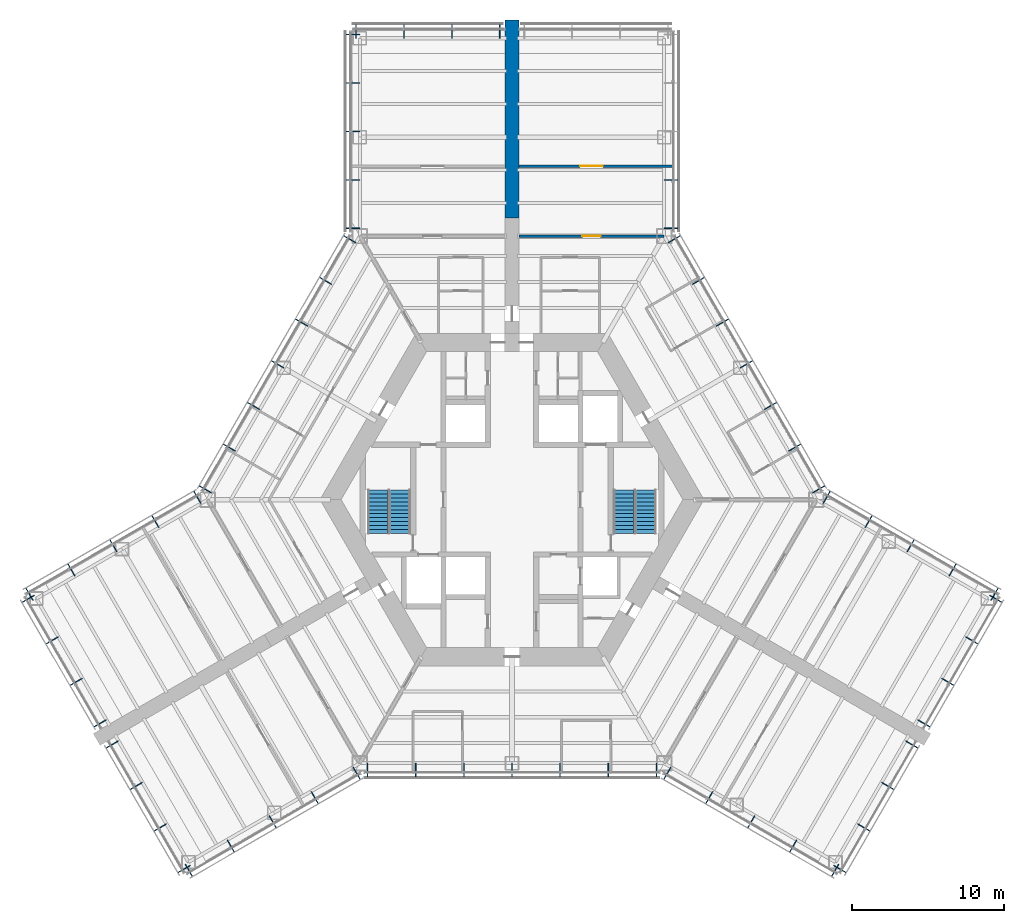
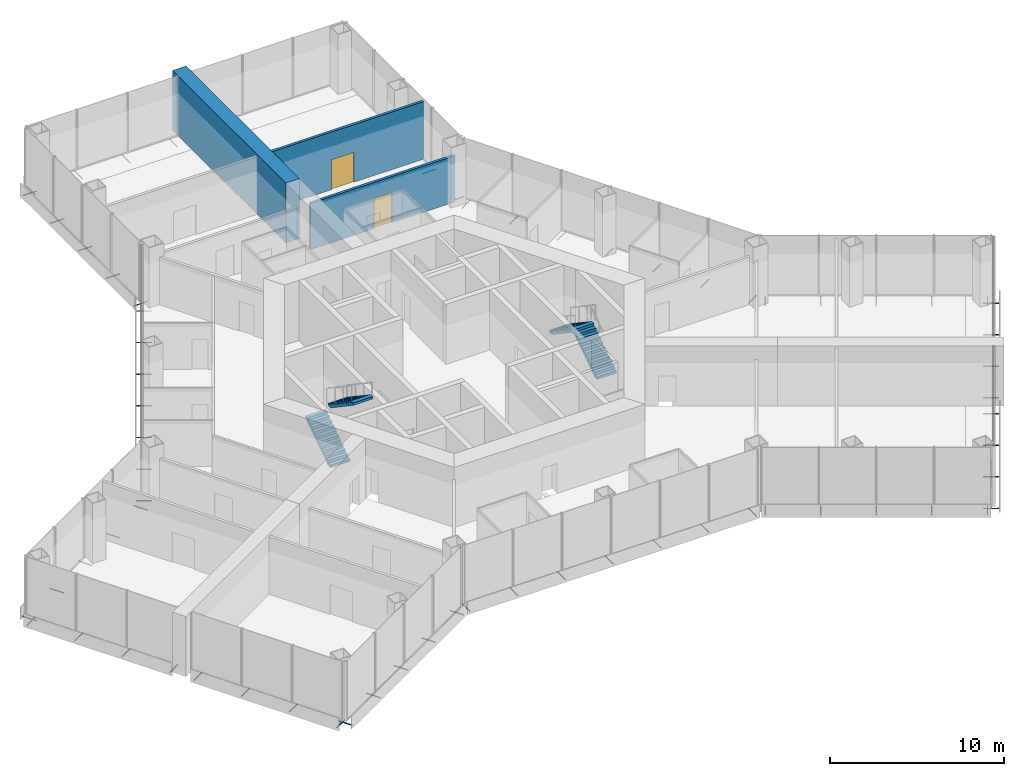
# One storey, part 14 of 17: 68 discrete accessories, 4 stair flights, 3 walls, 2 doors, 2 openings, 2 elements without a shape of their own.
"""IFC4 building model written with IfcOpenShell, lengths in metres."""

import ifcopenshell
import ifcopenshell.guid

model = None  # the IFC model being written
_history = None  # IfcOwnerHistory: only IFC2X3 demands one
_inside = {}  # id of a spatial element -> (the spatial element, [elements in it])
_under = {}  # id of a project, library or spatial element -> (it, [spatial elements below it])
_declared = {}  # id of a project -> (the project, [libraries it declares])
_typed = {}  # id of a type object -> (the type object, [elements of that type])
_made_of = {}  # id of a material, layer set ... -> (it, [elements and type objects made of it])


def new_model(schema):
    """Start an empty IFC model of exactly this schema.

    Asked for "IFC4X3", IfcOpenShell would pick the latest addendum, in which some entities
    have other attributes; the version numbers below select the first issue.
    IFC2X3 requires an IfcOwnerHistory on every rooted entity: one is made here for all.
    """
    global model, _history
    if schema == "IFC4X3":
        model = ifcopenshell.file(schema_version=(4, 3, 0, 0))
    else:
        model = ifcopenshell.file(schema=schema)
    _inside.clear()
    _under.clear()
    _declared.clear()
    _typed.clear()
    _made_of.clear()
    _history = None
    if model.schema == "IFC2X3":
        org = make("IfcOrganization", Name="unknown")
        user = make(
            "IfcPersonAndOrganization",
            ThePerson=make("IfcPerson", FamilyName="unknown"),
            TheOrganization=org,
        )
        app = make(
            "IfcApplication",
            ApplicationDeveloper=org,
            Version="unknown",
            ApplicationFullName="unknown",
            ApplicationIdentifier="unknown",
        )
        _history = make(
            "IfcOwnerHistory",
            OwningUser=user,
            OwningApplication=app,
            ChangeAction="ADDED",
            CreationDate=0,
        )
    return model


def make(cls, **values):
    """One entity of the class cls with the attributes given. An attribute that is None is left unset."""
    return model.create_entity(
        cls, **{name: value for name, value in values.items() if value is not None}
    )


def rooted(cls, **values):
    """An entity with a GlobalId (a new one), such as an element, a storey or a relation."""
    return make(cls, GlobalId=ifcopenshell.guid.new(), OwnerHistory=_history, **values)


def si_unit(unit_type, name, prefix=None):
    """IfcSIUnit, for example si_unit("LENGTHUNIT", "METRE", prefix="MILLI")."""
    return make("IfcSIUnit", UnitType=unit_type, Prefix=prefix, Name=name)


def assignment(units):
    """IfcUnitAssignment: the units of a project."""
    return None if units is None else make("IfcUnitAssignment", Units=units)


def point(xyz):
    """IfcCartesianPoint."""
    return None if xyz is None else make("IfcCartesianPoint", Coordinates=xyz)


def direction(xyz):
    """IfcDirection."""
    return None if xyz is None else make("IfcDirection", DirectionRatios=xyz)


def frame(location, z_axis=None, x_axis=None):
    """IfcAxis2Placement3D, a coordinate frame: its origin and axes. An axis left out is left unset."""
    return make(
        "IfcAxis2Placement3D",
        Location=point(location),
        Axis=direction(z_axis),
        RefDirection=direction(x_axis),
    )


def frame_2d(location, x_axis=None):
    """IfcAxis2Placement2D, a coordinate frame in the plane: its origin and x axis."""
    return make(
        "IfcAxis2Placement2D", Location=point(location), RefDirection=direction(x_axis)
    )


def origin():
    """The frame at (0, 0, 0) with its axes left unset."""
    return frame((0.0, 0.0, 0.0))


def origin_2d():
    """The frame at (0, 0) in the plane with its x axis left unset."""
    return frame_2d((0.0, 0.0))


def place(relative_to, where):
    """IfcLocalPlacement: puts the frame where relative to a parent placement (None: the world)."""
    return make(
        "IfcLocalPlacement", PlacementRelTo=relative_to, RelativePlacement=where
    )


def context(
    kind, dimensions, precision=None, world=None, true_north=None, identifier=None
):
    """IfcGeometricRepresentationContext, for example the 3D "Model" context."""
    return make(
        "IfcGeometricRepresentationContext",
        ContextIdentifier=identifier,
        ContextType=kind,
        CoordinateSpaceDimension=dimensions,
        Precision=precision,
        WorldCoordinateSystem=world,
        TrueNorth=true_north,
    )


def subcontext(parent, identifier, kind, view, scale=None):
    """IfcGeometricRepresentationSubContext, for example "Body" below "Model"."""
    return make(
        "IfcGeometricRepresentationSubContext",
        ContextIdentifier=identifier,
        ContextType=kind,
        ParentContext=parent,
        TargetScale=scale,
        TargetView=view,
    )


def project(units=None, contexts=None):
    """IfcProject with its units and contexts."""
    return rooted(
        "IfcProject",
        Name="project",
        RepresentationContexts=contexts,
        UnitsInContext=assignment(units),
    )


def spatial(cls, under=None, at=None, **own):
    """A site, building, storey or space (cls), placed at a placement, below another one or the project."""
    s = rooted(cls, ObjectPlacement=at, **own)
    if under is not None:
        _under.setdefault(under.id(), (under, []))[1].append(s)
    return s


def polyline(points):
    """IfcPolyline through the points."""
    return make("IfcPolyline", Points=[point(p) for p in points])


def profile(cls, at=None, kind="AREA", **sizes):
    """A parametric profile (cls). Its sizes go by their IFC names, for example OverallWidth=200.0."""
    return make(cls, ProfileType=kind, Position=at, **sizes)


def rectangle(**sizes):
    """IfcRectangleProfileDef."""
    return profile("IfcRectangleProfileDef", **sizes)


def hollow_circle(**sizes):
    """IfcCircleHollowProfileDef."""
    return profile("IfcCircleHollowProfileDef", **sizes)


def outline(outer, holes=None, kind="AREA"):
    """IfcArbitraryClosedProfileDef: a profile drawn as a closed curve; with holes, ...WithVoids."""
    if holes is None:
        return make("IfcArbitraryClosedProfileDef", ProfileType=kind, OuterCurve=outer)
    return make(
        "IfcArbitraryProfileDefWithVoids",
        ProfileType=kind,
        OuterCurve=outer,
        InnerCurves=holes,
    )


def extrude(swept, where, along, depth):
    """IfcExtrudedAreaSolid: the profile swept, set in the frame where, extruded along a direction by depth."""
    return make(
        "IfcExtrudedAreaSolid",
        SweptArea=swept,
        Position=where,
        ExtrudedDirection=direction(along),
        Depth=depth,
    )


def shape(context_of_items, identifier, shape_type, items):
    """IfcShapeRepresentation: the items that make up one representation, for example the "Body"."""
    return make(
        "IfcShapeRepresentation",
        ContextOfItems=context_of_items,
        RepresentationIdentifier=identifier,
        RepresentationType=shape_type,
        Items=items,
    )


def material(Name=None, Category=None):
    """IfcMaterial."""
    return make("IfcMaterial", Name=Name, Category=Category)


def layer(
    of_material, thickness, ventilated=None, Name=None, Category=None, Priority=None
):
    """IfcMaterialLayer: one layer of a wall or slab, of a material (None: an air gap)."""
    return make(
        "IfcMaterialLayer",
        Material=of_material,
        LayerThickness=thickness,
        IsVentilated=ventilated,
        Name=Name,
        Category=Category,
        Priority=Priority,
    )


def layer_set(layers, Name=None):
    """IfcMaterialLayerSet."""
    return make("IfcMaterialLayerSet", MaterialLayers=layers, LayerSetName=Name)


def material_profile(
    of_material, cross_section, Name=None, Category=None, Priority=None
):
    """IfcMaterialProfile: a cross section and its material."""
    return make(
        "IfcMaterialProfile",
        Name=Name,
        Material=of_material,
        Profile=cross_section,
        Priority=Priority,
        Category=Category,
    )


def profile_set(profiles, Name=None, composite=None):
    """IfcMaterialProfileSet."""
    return make(
        "IfcMaterialProfileSet",
        Name=Name,
        MaterialProfiles=profiles,
        CompositeProfile=composite,
    )


def made_of(thing, what):
    """Note that an element or type object is made of a material, layer set ...; save() writes the relation."""
    if what is not None:
        _made_of.setdefault(what.id(), (what, []))[1].append(thing)
    return thing


def type_object(cls, material=None, **own):
    """A type object (cls), such as IfcWallType, which elements share."""
    return made_of(rooted(cls, **own), material)


def element(
    cls,
    number,
    at=None,
    inside=None,
    cuts=None,
    type_object=None,
    material=None,
    context=None,
    identifier="Body",
    shape_type=None,
    held_by="IfcProductDefinitionShape",
    body=None,
    shapes=None,
    **own,
):
    """One element of the class cls, such as IfcWall. Its Tag is "e" and its number.

    at: its placement. inside: the storey or other place that contains it. cuts: it is an
    opening in that element (IfcRelVoidsElement). A single representation is given by context,
    identifier, shape_type and body (its items); several are given by shapes. held_by: the class
    of the entity that holds the representations. save() writes the other relations.
    """
    e = rooted(cls, Tag="e%d" % number, ObjectPlacement=at, **own)
    if body is not None:
        shapes = [shape(context, identifier, shape_type, body)]
    if shapes is not None:
        e.Representation = make(held_by, Representations=shapes)
    if inside is not None:
        _inside.setdefault(inside.id(), (inside, []))[1].append(e)
    if cuts is not None:
        rooted(
            "IfcRelVoidsElement", RelatingBuildingElement=cuts, RelatedOpeningElement=e
        )
    if type_object is not None:
        _typed.setdefault(type_object.id(), (type_object, []))[1].append(e)
    return made_of(e, material)


def fill(opening, filler):
    """IfcRelFillsElement: the door or window that sits in an opening."""
    return rooted(
        "IfcRelFillsElement",
        RelatingOpeningElement=opening,
        RelatedBuildingElement=filler,
    )


def aggregate(whole, parts):
    """IfcRelAggregates: a whole, such as a stair, and the parts it consists of."""
    return rooted("IfcRelAggregates", RelatingObject=whole, RelatedObjects=parts)


def save(model, path):
    """Write the relations noted so far, then the file.

    IfcRelAggregates (storeys below a building ...), IfcRelContainedInSpatialStructure (elements
    in a storey), IfcRelDefinesByType, IfcRelAssociatesMaterial and IfcRelDeclares: one each for
    every whole, place, type object, material and project.
    """
    for whole, parts in _under.values():
        aggregate(whole, parts)
    for where, things in _inside.values():
        rooted(
            "IfcRelContainedInSpatialStructure",
            RelatedElements=things,
            RelatingStructure=where,
        )
    for kind, things in _typed.values():
        rooted("IfcRelDefinesByType", RelatedObjects=things, RelatingType=kind)
    for what, things in _made_of.values():
        rooted("IfcRelAssociatesMaterial", RelatedObjects=things, RelatingMaterial=what)
    for by, libraries in _declared.values():
        rooted("IfcRelDeclares", RelatingContext=by, RelatedDefinitions=libraries)
    model.write(path)


model = new_model("IFC4")

# Units and contexts
model_context = context("Model", 3, precision=1e-05, world=origin(), true_north=direction((0.0, 1.0)))
body_context = subcontext(model_context, "Body", "Model", "MODEL_VIEW")
ifc_project = project(units=[si_unit("LENGTHUNIT", "METRE"), si_unit("AREAUNIT", "SQUARE_METRE"), si_unit("VOLUMEUNIT", "CUBIC_METRE"), si_unit("PLANEANGLEUNIT", "RADIAN"), si_unit("MASSUNIT", "GRAM", prefix="KILO")], contexts=[model_context])

# Site, building, storey
site_placement = place(None, origin())
site = spatial("IfcSite", under=ifc_project, at=site_placement, CompositionType="ELEMENT")
building_placement = place(site_placement, origin())
building = spatial("IfcBuilding", under=site, at=building_placement, Name="Kasaneha Research Tower", CompositionType="ELEMENT")
storey_placement = place(building_placement, frame((0.0, 0.0, 43.60009765625)))
storey = spatial("IfcBuildingStorey", under=building, at=storey_placement, Name="L11", CompositionType="ELEMENT", Elevation=43.60009765625)

# Wall, opening, door
ifc_material_1 = material(Name="Gypsum board on steel studs, two layers each side", Category="steel")
ifc_layer_1 = layer(ifc_material_1, 0.175048828125)
ifc_layer_set_1 = layer_set([ifc_layer_1], Name="Laboratory fire partition 175")
wall_type_1 = type_object("IfcWallType", Name="Laboratory fire partition 175", PredefinedType="PARTITIONING", material=ifc_layer_set_1)
wall_1_placement = place(storey_placement, frame((0.449951171875, 17.320556640625, 0.0), z_axis=(0.0, 0.0, 1.0), x_axis=(1.0, 0.0, 0.0)))
wall_1 = element("IfcWall", 1, at=wall_1_placement, inside=storey, type_object=wall_type_1, Name="Laboratory fire partition LABA-E L11", PredefinedType="PARTITIONING", context=body_context, shape_type="SweptSolid", body=[
    extrude(rectangle(XDim=9.550048828125, YDim=0.175048828125, at=frame_2d((4.77490234375, 0.0))), origin(), (0.0, 0.0, 1.0), 3.23779296875),
])
opening_1_placement = place(wall_1_placement, frame((4.175048828125, 0.0, 0.0)))
opening_1 = element("IfcOpeningElement", 2, at=opening_1_placement, cuts=wall_1, Name="Opening L11-D30", PredefinedType="OPENING", context=body_context, shape_type="SweptSolid", body=[
    extrude(rectangle(XDim=1.199951171875, YDim=2.10009765625, at=frame_2d((0.60009765625, 1.050048828125))), frame((0.0, 0.09765625, 0.0), z_axis=(0.0, -1.0, 0.0), x_axis=(1.0, 0.0, 0.0)), (0.0, 0.0, 1.0), 0.195068359375),
])
ifc_material_2 = material(Name="Steel", Category="steel")
door_type_1 = type_object("IfcDoorType", Name="Laboratory door FD60 1200x2100", OperationType="DOUBLE_DOOR_SINGLE_SWING", PredefinedType="DOOR", material=ifc_material_2)
door_1_placement = place(opening_1_placement, origin())
door_1 = element("IfcDoor", 3, at=door_1_placement, inside=storey, type_object=door_type_1, Name="Laboratory door L11-D30", OperationType="DOUBLE_DOOR_SINGLE_SWING", OverallHeight=2.10009765625, OverallWidth=1.199951171875, PredefinedType="DOOR", context=body_context, shape_type="SweptSolid", body=[
    extrude(rectangle(XDim=1.199951171875, YDim=2.10009765625, at=frame_2d((0.60009765625, 1.050048828125))), frame((0.0, 0.02490234375, 0.0), z_axis=(0.0, -1.0, 0.0), x_axis=(1.0, 0.0, 0.0)), (0.0, 0.0, 1.0), 0.050048828125),
])
fill(opening_1, door_1)

wall_2_placement = place(storey_placement, frame((0.449951171875, 21.92041015625, 0.0), z_axis=(0.0, 0.0, 1.0), x_axis=(1.0, 0.0, 0.0)))
wall_2 = element("IfcWall", 4, at=wall_2_placement, inside=storey, type_object=wall_type_1, Name="Laboratory fire partition INSA-E L11", PredefinedType="PARTITIONING", context=body_context, shape_type="SweptSolid", body=[
    extrude(rectangle(XDim=10.14013671875, YDim=0.175048828125, at=frame_2d((5.070068359375, 0.0))), origin(), (0.0, 0.0, 1.0), 4.02978515625),
])
opening_2_placement = place(wall_2_placement, frame((4.02490234375, 0.0, 0.0)))
opening_2 = element("IfcOpeningElement", 5, at=opening_2_placement, cuts=wall_2, Name="Opening L11-D33", PredefinedType="OPENING", context=body_context, shape_type="SweptSolid", body=[
    extrude(rectangle(XDim=1.5, YDim=2.10009765625, at=frame_2d((0.75, 1.050048828125))), frame((0.0, 0.09765625, 0.0), z_axis=(0.0, -1.0, 0.0), x_axis=(1.0, 0.0, 0.0)), (0.0, 0.0, 1.0), 0.195068359375),
])
ifc_material_3 = material(Name="Steel", Category="steel")
door_type_2 = type_object("IfcDoorType", Name="Laboratory door FD60 1500x2100", OperationType="DOUBLE_DOOR_SINGLE_SWING", PredefinedType="DOOR", material=ifc_material_3)
door_2_placement = place(opening_2_placement, origin())
door_2 = element("IfcDoor", 6, at=door_2_placement, inside=storey, type_object=door_type_2, Name="Instrument room door L11-D33", OperationType="DOUBLE_DOOR_SINGLE_SWING", OverallHeight=2.10009765625, OverallWidth=1.5, PredefinedType="DOOR", context=body_context, shape_type="SweptSolid", body=[
    extrude(rectangle(XDim=1.5, YDim=2.10009765625, at=frame_2d((0.75, 1.050048828125))), frame((0.0, 0.02490234375, 0.0), z_axis=(0.0, -1.0, 0.0), x_axis=(1.0, 0.0, 0.0)), (0.0, 0.0, 1.0), 0.050048828125),
])
fill(opening_2, door_2)

# Wall
ifc_material_4 = material(Name="Concrete Fc100", Category="concrete")
ifc_layer_2 = layer(ifc_material_4, 0.89990234375)
ifc_layer_set_2 = layer_set([ifc_layer_2], Name="Spine wall 900 Fc100")
wall_type_2 = type_object("IfcWallType", Name="Spine wall 900 Fc100", PredefinedType="SHEAR", material=ifc_layer_set_2)
wall_3_placement = place(storey_placement, frame((0.0, 18.5205078125, 0.0), z_axis=(0.0, 0.0, 1.0), x_axis=(0.0, 1.0, 0.0)))
element("IfcWall", 7, at=wall_3_placement, inside=storey, type_object=wall_type_2, Name="Spine wall A wing L11", PredefinedType="SHEAR", context=body_context, shape_type="SweptSolid", body=[
    extrude(rectangle(XDim=13.0, YDim=0.89990234375, at=frame_2d((6.5, 0.0))), origin(), (0.0, 0.0, 1.0), 4.199951171875),
])

# Stair, stair flights
ifc_material_5 = material(Name="Concrete Fc24", Category="concrete")
stair_type = type_object("IfcStairType", Name="Half-turn stair 24 risers", PredefinedType="HALF_TURN_STAIR", material=ifc_material_5)
stair_1_placement = place(storey_placement, origin())
stair_1 = element("IfcStair", 8, at=stair_1_placement, inside=storey, type_object=stair_type, Name="Stair 1 L11", PredefinedType="HALF_TURN_STAIR")
ifc_material_6 = material(Name="Concrete Fc24", Category="concrete")
stair_flight_type = type_object("IfcStairFlightType", Name="Stair flight 12 risers 175.0", PredefinedType="STRAIGHT", material=ifc_material_6)
stair_flight_1_placement = place(storey_placement, frame((8.824951171875, -2.22509765625, 0.0), z_axis=(0.0, 0.0, 1.0), x_axis=(0.0, 1.0, 0.0)))
stair_flight_1 = element("IfcStairFlight", 9, at=stair_flight_1_placement, type_object=stair_flight_type, Name="ST1-24R flight 1", NumberOfRisers=12, NumberOfTreads=11, PredefinedType="STRAIGHT", RiserHeight=0.175, TreadLength=0.26, context=body_context, shape_type="SweptSolid", body=[
    extrude(outline(polyline([(0.0, 0.0), (0.0, 0.175048828125), (0.260009765625, 0.175048828125), (0.260009765625, 0.35009765625), (0.52001953125, 0.35009765625), (0.52001953125, 0.52490234375), (0.780029296875, 0.52490234375), (0.780029296875, 0.699951171875), (1.0400390625, 0.699951171875), (1.0400390625, 0.875), (1.300048828125, 0.875), (1.300048828125, 1.050048828125), (1.56005859375, 1.050048828125), (1.56005859375, 1.22509765625), (1.820068359375, 1.22509765625), (1.820068359375, 1.39990234375), (2.080078125, 1.39990234375), (2.080078125, 1.574951171875), (2.340087890625, 1.574951171875), (2.340087890625, 1.75), (2.60009765625, 1.75), (2.60009765625, 1.925048828125), (2.860107421875, 1.925048828125), (2.860107421875, 2.10009765625), (2.860107421875, 1.744384765625), (0.2685546875, 0.0), (0.0, 0.0)])), frame((0.0, 0.64990234375, 0.0), z_axis=(0.0, -1.0, 0.0), x_axis=(1.0, 0.0, 0.0)), (0.0, 0.0, 1.0), 1.300048828125),
])
stair_flight_2_placement = place(storey_placement, frame((7.324951171875, 0.635009765625, 2.099853515625), z_axis=(0.0, 0.0, 1.0), x_axis=(0.0, -1.0, 0.0)))
stair_flight_2 = element("IfcStairFlight", 10, at=stair_flight_2_placement, type_object=stair_flight_type, Name="ST1-24R flight 2", NumberOfRisers=12, NumberOfTreads=11, PredefinedType="STRAIGHT", RiserHeight=0.175, TreadLength=0.26, context=body_context, shape_type="SweptSolid", body=[
    extrude(outline(polyline([(0.0, 0.0), (0.0, 0.175048828125), (0.260009765625, 0.175048828125), (0.260009765625, 0.35009765625), (0.52001953125, 0.35009765625), (0.52001953125, 0.52490234375), (0.780029296875, 0.52490234375), (0.780029296875, 0.699951171875), (1.0400390625, 0.699951171875), (1.0400390625, 0.875), (1.300048828125, 0.875), (1.300048828125, 1.050048828125), (1.56005859375, 1.050048828125), (1.56005859375, 1.22509765625), (1.820068359375, 1.22509765625), (1.820068359375, 1.39990234375), (2.080078125, 1.39990234375), (2.080078125, 1.574951171875), (2.340087890625, 1.574951171875), (2.340087890625, 1.75), (2.60009765625, 1.75), (2.60009765625, 1.925048828125), (2.860107421875, 1.925048828125), (2.860107421875, 2.10009765625), (2.860107421875, 1.744384765625), (0.2685546875, 0.0), (0.0, 0.0)])), frame((0.0, 0.64990234375, 0.0), z_axis=(0.0, -1.0, 0.0), x_axis=(1.0, 0.0, 0.0)), (0.0, 0.0, 1.0), 1.300048828125),
])
aggregate(stair_1, [stair_flight_1, stair_flight_2])

stair_2_placement = place(storey_placement, origin())
stair_2 = element("IfcStair", 11, at=stair_2_placement, inside=storey, type_object=stair_type, Name="Stair 2 L11", PredefinedType="HALF_TURN_STAIR")
stair_flight_3_placement = place(storey_placement, frame((-8.824951171875, -2.22509765625, 0.0), z_axis=(0.0, 0.0, 1.0), x_axis=(0.0, 1.0, 0.0)))
stair_flight_3 = element("IfcStairFlight", 12, at=stair_flight_3_placement, type_object=stair_flight_type, Name="ST2-24R flight 1", NumberOfRisers=12, NumberOfTreads=11, PredefinedType="STRAIGHT", RiserHeight=0.175, TreadLength=0.26, context=body_context, shape_type="SweptSolid", body=[
    extrude(outline(polyline([(0.0, 0.0), (0.0, 0.175048828125), (0.260009765625, 0.175048828125), (0.260009765625, 0.35009765625), (0.52001953125, 0.35009765625), (0.52001953125, 0.52490234375), (0.780029296875, 0.52490234375), (0.780029296875, 0.699951171875), (1.0400390625, 0.699951171875), (1.0400390625, 0.875), (1.300048828125, 0.875), (1.300048828125, 1.050048828125), (1.56005859375, 1.050048828125), (1.56005859375, 1.22509765625), (1.820068359375, 1.22509765625), (1.820068359375, 1.39990234375), (2.080078125, 1.39990234375), (2.080078125, 1.574951171875), (2.340087890625, 1.574951171875), (2.340087890625, 1.75), (2.60009765625, 1.75), (2.60009765625, 1.925048828125), (2.860107421875, 1.925048828125), (2.860107421875, 2.10009765625), (2.860107421875, 1.744384765625), (0.2685546875, 0.0), (0.0, 0.0)])), frame((0.0, 0.64990234375, 0.0), z_axis=(0.0, -1.0, 0.0), x_axis=(1.0, 0.0, 0.0)), (0.0, 0.0, 1.0), 1.300048828125),
])
stair_flight_4_placement = place(storey_placement, frame((-7.324951171875, 0.635009765625, 2.099853515625), z_axis=(0.0, 0.0, 1.0), x_axis=(0.0, -1.0, 0.0)))
stair_flight_4 = element("IfcStairFlight", 13, at=stair_flight_4_placement, type_object=stair_flight_type, Name="ST2-24R flight 2", NumberOfRisers=12, NumberOfTreads=11, PredefinedType="STRAIGHT", RiserHeight=0.175, TreadLength=0.26, context=body_context, shape_type="SweptSolid", body=[
    extrude(outline(polyline([(0.0, 0.0), (0.0, 0.175048828125), (0.260009765625, 0.175048828125), (0.260009765625, 0.35009765625), (0.52001953125, 0.35009765625), (0.52001953125, 0.52490234375), (0.780029296875, 0.52490234375), (0.780029296875, 0.699951171875), (1.0400390625, 0.699951171875), (1.0400390625, 0.875), (1.300048828125, 0.875), (1.300048828125, 1.050048828125), (1.56005859375, 1.050048828125), (1.56005859375, 1.22509765625), (1.820068359375, 1.22509765625), (1.820068359375, 1.39990234375), (2.080078125, 1.39990234375), (2.080078125, 1.574951171875), (2.340087890625, 1.574951171875), (2.340087890625, 1.75), (2.60009765625, 1.75), (2.60009765625, 1.925048828125), (2.860107421875, 1.925048828125), (2.860107421875, 2.10009765625), (2.860107421875, 1.744384765625), (0.2685546875, 0.0), (0.0, 0.0)])), frame((0.0, 0.64990234375, 0.0), z_axis=(0.0, -1.0, 0.0), x_axis=(1.0, 0.0, 0.0)), (0.0, 0.0, 1.0), 1.300048828125),
])
aggregate(stair_2, [stair_flight_3, stair_flight_4])

# Discrete accessories
ifc_material_7 = material(Name="Steel STK400", Category="steel")
ifc_material_profile = material_profile(ifc_material_7, hollow_circle(Radius=0.0380859375, WallThickness=0.00390625, at=origin_2d()), Name="CHS-76.3x4.0")
ifc_profile_set = profile_set([ifc_material_profile], Name="Steel STK400")
discrete_accessory_type = type_object("IfcDiscreteAccessoryType", Name="Screen bracket CHS-76.3x4.0", PredefinedType="BRACKET", material=ifc_profile_set)
discrete_accessory_1_placement = place(storey_placement, frame((-21.474853515625, -23.945556640625, -0.320068359375), z_axis=(0.500021113727, -0.866013213425, 0.0), x_axis=(0.866013213425, 0.500021113727, 0.0)))
element("IfcDiscreteAccessory", 14, at=discrete_accessory_1_placement, inside=storey, type_object=discrete_accessory_type, Name="Screen bracket 1", PredefinedType="BRACKET", context=body_context, shape_type="SweptSolid", body=[
    extrude(hollow_circle(Radius=0.0380859375, WallThickness=0.00390625, at=origin_2d()), origin(), (0.0, 0.0, 1.0), 0.919921875),
])
discrete_accessory_2_placement = place(storey_placement, frame((-18.716796875, -22.35302734375, -0.320068359375), z_axis=(0.500105201737, -0.865964657013, 0.0), x_axis=(0.865964657013, 0.500105201737, 0.0)))
element("IfcDiscreteAccessory", 15, at=discrete_accessory_2_placement, inside=storey, type_object=discrete_accessory_type, Name="Screen bracket 2", PredefinedType="BRACKET", context=body_context, shape_type="SweptSolid", body=[
    extrude(hollow_circle(Radius=0.0380859375, WallThickness=0.00390625, at=origin_2d()), origin(), (0.0, 0.0, 1.0), 0.920166015625),
])
discrete_accessory_3_placement = place(storey_placement, frame((-15.95849609375, -20.7607421875, -0.320068359375), z_axis=(0.500021113727, -0.866013213425, 0.0), x_axis=(0.866013213425, 0.500021113727, 0.0)))
element("IfcDiscreteAccessory", 16, at=discrete_accessory_3_placement, inside=storey, type_object=discrete_accessory_type, Name="Screen bracket 3", PredefinedType="BRACKET", context=body_context, shape_type="SweptSolid", body=[
    extrude(hollow_circle(Radius=0.0380859375, WallThickness=0.00390625, at=origin_2d()), origin(), (0.0, 0.0, 1.0), 0.919921875),
])
discrete_accessory_4_placement = place(storey_placement, frame((-13.200439453125, -19.168212890625, -0.320068359375), z_axis=(0.499906209203, -0.866079547155, 0.0), x_axis=(0.866079547155, 0.499906209203, 0.0)))
element("IfcDiscreteAccessory", 17, at=discrete_accessory_4_placement, inside=storey, type_object=discrete_accessory_type, Name="Screen bracket 4", PredefinedType="BRACKET", context=body_context, shape_type="SweptSolid", body=[
    extrude(hollow_circle(Radius=0.0380859375, WallThickness=0.00390625, at=origin_2d()), origin(), (0.0, 0.0, 1.0), 0.920166015625),
])
for number, where, z_axis, x_axis, name in (
    (18, (-10.4423828125, -17.575927734375, -0.320068359375), (0.500021113727, -0.866013213425, 0.0), (0.866013213425, 0.500021113727, 0.0), "Screen bracket 5"),
    (19, (-9.4892578125, -17.320556640625, -0.320068359375), (0.0, -1.0, 0.0), (1.0, 0.0, 0.0), "Screen bracket 1"),
    (20, (-6.326171875, -17.320556640625, -0.320068359375), (0.0, -1.0, 0.0), (1.0, 0.0, 0.0), "Screen bracket 2"),
    (21, (-3.1630859375, -17.320556640625, -0.320068359375), (0.0, -1.0, 0.0), (1.0, 0.0, 0.0), "Screen bracket 3"),
    (22, (0.0, -17.320556640625, -0.320068359375), (0.0, -1.0, 0.0), (1.0, 0.0, 0.0), "Screen bracket 4"),
    (23, (3.1630859375, -17.320556640625, -0.320068359375), (0.0, -1.0, 0.0), (1.0, 0.0, 0.0), "Screen bracket 5"),
    (24, (6.326171875, -17.320556640625, -0.320068359375), (0.0, -1.0, 0.0), (1.0, 0.0, 0.0), "Screen bracket 6"),
    (25, (9.4892578125, -17.320556640625, -0.320068359375), (0.0, -1.0, 0.0), (1.0, 0.0, 0.0), "Screen bracket 7"),
    (26, (10.4423828125, -17.575927734375, -0.320068359375), (-0.500021113727, -0.866013213425, 0.0), (0.866013213425, -0.500021113727, 0.0), "Screen bracket 1"),
):
    element("IfcDiscreteAccessory", number, at=place(storey_placement, frame(where, z_axis=z_axis, x_axis=x_axis)), inside=storey, type_object=discrete_accessory_type, Name=name, PredefinedType="BRACKET", context=body_context, shape_type="SweptSolid", body=[
        extrude(hollow_circle(Radius=0.0380859375, WallThickness=0.00390625, at=origin_2d()), origin(), (0.0, 0.0, 1.0), 0.919921875),
    ])
discrete_accessory_5_placement = place(storey_placement, frame((13.200439453125, -19.168212890625, -0.320068359375), z_axis=(-0.499906209203, -0.866079547155, 0.0), x_axis=(0.866079547155, -0.499906209203, 0.0)))
element("IfcDiscreteAccessory", 27, at=discrete_accessory_5_placement, inside=storey, type_object=discrete_accessory_type, Name="Screen bracket 2", PredefinedType="BRACKET", context=body_context, shape_type="SweptSolid", body=[
    extrude(hollow_circle(Radius=0.0380859375, WallThickness=0.00390625, at=origin_2d()), origin(), (0.0, 0.0, 1.0), 0.920166015625),
])
discrete_accessory_6_placement = place(storey_placement, frame((15.95849609375, -20.7607421875, -0.320068359375), z_axis=(-0.500021113727, -0.866013213425, 0.0), x_axis=(0.866013213425, -0.500021113727, 0.0)))
element("IfcDiscreteAccessory", 28, at=discrete_accessory_6_placement, inside=storey, type_object=discrete_accessory_type, Name="Screen bracket 3", PredefinedType="BRACKET", context=body_context, shape_type="SweptSolid", body=[
    extrude(hollow_circle(Radius=0.0380859375, WallThickness=0.00390625, at=origin_2d()), origin(), (0.0, 0.0, 1.0), 0.919921875),
])
discrete_accessory_7_placement = place(storey_placement, frame((18.716796875, -22.35302734375, -0.320068359375), z_axis=(-0.500105201737, -0.865964657013, 0.0), x_axis=(0.865964657013, -0.500105201737, 0.0)))
element("IfcDiscreteAccessory", 29, at=discrete_accessory_7_placement, inside=storey, type_object=discrete_accessory_type, Name="Screen bracket 4", PredefinedType="BRACKET", context=body_context, shape_type="SweptSolid", body=[
    extrude(hollow_circle(Radius=0.0380859375, WallThickness=0.00390625, at=origin_2d()), origin(), (0.0, 0.0, 1.0), 0.920166015625),
])
discrete_accessory_8_placement = place(storey_placement, frame((21.474853515625, -23.945556640625, -0.320068359375), z_axis=(-0.500021113727, -0.866013213425, 0.0), x_axis=(0.866013213425, -0.500021113727, 0.0)))
element("IfcDiscreteAccessory", 30, at=discrete_accessory_8_placement, inside=storey, type_object=discrete_accessory_type, Name="Screen bracket 5", PredefinedType="BRACKET", context=body_context, shape_type="SweptSolid", body=[
    extrude(hollow_circle(Radius=0.0380859375, WallThickness=0.00390625, at=origin_2d()), origin(), (0.0, 0.0, 1.0), 0.919921875),
])
for number, where, z_axis, x_axis, name in (
    (31, (21.13330078125, -24.037109375, -0.320068359375), (0.866079547155, -0.499906209203, 0.0), (0.499906209203, 0.866079547155, 0.0), "Screen bracket 1"),
    (32, (22.708251953125, -21.30908203125, -0.320068359375), (0.866079547155, -0.499906209203, 0.0), (0.499906209203, 0.866079547155, 0.0), "Screen bracket 2"),
):
    element("IfcDiscreteAccessory", number, at=place(storey_placement, frame(where, z_axis=z_axis, x_axis=x_axis)), inside=storey, type_object=discrete_accessory_type, Name=name, PredefinedType="BRACKET", context=body_context, shape_type="SweptSolid", body=[
        extrude(hollow_circle(Radius=0.0380859375, WallThickness=0.00390625, at=origin_2d()), origin(), (0.0, 0.0, 1.0), 0.920166015625),
    ])
for number, where, z_axis, x_axis, name in (
    (33, (24.283447265625, -18.5810546875, -0.320068359375), (0.866013213425, -0.500021113727, 0.0), (0.500021113727, 0.866013213425, 0.0), "Screen bracket 3"),
    (34, (25.8583984375, -15.85302734375, -0.320068359375), (0.866013213425, -0.500021113727, 0.0), (0.500021113727, 0.866013213425, 0.0), "Screen bracket 4"),
    (35, (26.658447265625, -14.467529296875, -0.320068359375), (0.866013213425, -0.500021113727, 0.0), (0.500021113727, 0.866013213425, 0.0), "Screen bracket 1"),
    (36, (28.2333984375, -11.739501953125, -0.320068359375), (0.866013213425, -0.500021113727, 0.0), (0.500021113727, 0.866013213425, 0.0), "Screen bracket 2"),
    (37, (29.808349609375, -9.011474609375, -0.320068359375), (0.866013213425, -0.500021113727, 0.0), (0.500021113727, 0.866013213425, 0.0), "Screen bracket 3"),
):
    element("IfcDiscreteAccessory", number, at=place(storey_placement, frame(where, z_axis=z_axis, x_axis=x_axis)), inside=storey, type_object=discrete_accessory_type, Name=name, PredefinedType="BRACKET", context=body_context, shape_type="SweptSolid", body=[
        extrude(hollow_circle(Radius=0.0380859375, WallThickness=0.00390625, at=origin_2d()), origin(), (0.0, 0.0, 1.0), 0.919921875),
    ])
discrete_accessory_9_placement = place(storey_placement, frame((31.38330078125, -6.283447265625, -0.320068359375), z_axis=(0.866079547155, -0.499906209203, 0.0), x_axis=(0.499906209203, 0.866079547155, 0.0)))
element("IfcDiscreteAccessory", 38, at=discrete_accessory_9_placement, inside=storey, type_object=discrete_accessory_type, Name="Screen bracket 4", PredefinedType="BRACKET", context=body_context, shape_type="SweptSolid", body=[
    extrude(hollow_circle(Radius=0.0380859375, WallThickness=0.00390625, at=origin_2d()), origin(), (0.0, 0.0, 1.0), 0.920166015625),
])
discrete_accessory_10_placement = place(storey_placement, frame((31.474853515625, -6.625, -0.320068359375), z_axis=(0.500021113727, 0.866013213425, 0.0), x_axis=(-0.866013213425, 0.500021113727, 0.0)))
element("IfcDiscreteAccessory", 39, at=discrete_accessory_10_placement, inside=storey, type_object=discrete_accessory_type, Name="Screen bracket 1", PredefinedType="BRACKET", context=body_context, shape_type="SweptSolid", body=[
    extrude(hollow_circle(Radius=0.0380859375, WallThickness=0.00390625, at=origin_2d()), origin(), (0.0, 0.0, 1.0), 0.919921875),
])
discrete_accessory_11_placement = place(storey_placement, frame((28.716796875, -5.03271484375, -0.320068359375), z_axis=(0.499906209203, 0.866079547155, 0.0), x_axis=(-0.866079547155, 0.499906209203, 0.0)))
element("IfcDiscreteAccessory", 40, at=discrete_accessory_11_placement, inside=storey, type_object=discrete_accessory_type, Name="Screen bracket 2", PredefinedType="BRACKET", context=body_context, shape_type="SweptSolid", body=[
    extrude(hollow_circle(Radius=0.0380859375, WallThickness=0.00390625, at=origin_2d()), origin(), (0.0, 0.0, 1.0), 0.920166015625),
])
discrete_accessory_12_placement = place(storey_placement, frame((25.95849609375, -3.440185546875, -0.320068359375), z_axis=(0.500220121494, 0.865898279276, 0.0), x_axis=(-0.865898279276, 0.500220121494, 0.0)))
element("IfcDiscreteAccessory", 41, at=discrete_accessory_12_placement, inside=storey, type_object=discrete_accessory_type, Name="Screen bracket 3", PredefinedType="BRACKET", context=body_context, shape_type="SweptSolid", body=[
    extrude(hollow_circle(Radius=0.0380859375, WallThickness=0.00390625, at=origin_2d()), origin(), (0.0, 0.0, 1.0), 0.919921875),
])
discrete_accessory_13_placement = place(storey_placement, frame((23.200439453125, -1.847900390625, -0.320068359375), z_axis=(0.499906209203, 0.866079547155, 0.0), x_axis=(-0.866079547155, 0.499906209203, 0.0)))
element("IfcDiscreteAccessory", 42, at=discrete_accessory_13_placement, inside=storey, type_object=discrete_accessory_type, Name="Screen bracket 4", PredefinedType="BRACKET", context=body_context, shape_type="SweptSolid", body=[
    extrude(hollow_circle(Radius=0.0380859375, WallThickness=0.00390625, at=origin_2d()), origin(), (0.0, 0.0, 1.0), 0.920166015625),
])
for number, where, z_axis, x_axis, name in (
    (43, (20.4423828125, -0.25537109375, -0.320068359375), (0.500021113727, 0.866013213425, 0.0), (-0.866013213425, 0.500021113727, 0.0), "Screen bracket 5"),
    (44, (19.74462890625, 0.4423828125, -0.320068359375), (0.866013213425, 0.500021113727, 0.0), (-0.500021113727, 0.866013213425, 0.0), "Screen bracket 1"),
    (45, (18.1630859375, 3.181640625, -0.320068359375), (0.866013213425, 0.500021113727, 0.0), (-0.500021113727, 0.866013213425, 0.0), "Screen bracket 2"),
    (46, (16.58154296875, 5.9208984375, -0.320068359375), (0.866013213425, 0.500021113727, 0.0), (-0.500021113727, 0.866013213425, 0.0), "Screen bracket 3"),
    (47, (15.0, 8.66015625, -0.320068359375), (0.865898279276, 0.500220121494, 0.0), (-0.500220121494, 0.865898279276, 0.0), "Screen bracket 4"),
    (48, (13.41845703125, 11.399658203125, -0.320068359375), (0.866013213425, 0.500021113727, 0.0), (-0.500021113727, 0.866013213425, 0.0), "Screen bracket 5"),
    (49, (11.8369140625, 14.138916015625, -0.320068359375), (0.866013213425, 0.500021113727, 0.0), (-0.500021113727, 0.866013213425, 0.0), "Screen bracket 6"),
):
    element("IfcDiscreteAccessory", number, at=place(storey_placement, frame(where, z_axis=z_axis, x_axis=x_axis)), inside=storey, type_object=discrete_accessory_type, Name=name, PredefinedType="BRACKET", context=body_context, shape_type="SweptSolid", body=[
        extrude(hollow_circle(Radius=0.0380859375, WallThickness=0.00390625, at=origin_2d()), origin(), (0.0, 0.0, 1.0), 0.919921875),
    ])
discrete_accessory_14_placement = place(storey_placement, frame((10.25537109375, 16.878173828125, -0.320068359375), z_axis=(0.866079547155, 0.499906209203, 0.0), x_axis=(-0.499906209203, 0.866079547155, 0.0)))
element("IfcDiscreteAccessory", 50, at=discrete_accessory_14_placement, inside=storey, type_object=discrete_accessory_type, Name="Screen bracket 7", PredefinedType="BRACKET", context=body_context, shape_type="SweptSolid", body=[
    extrude(hollow_circle(Radius=0.0380859375, WallThickness=0.00390625, at=origin_2d()), origin(), (0.0, 0.0, 1.0), 0.920166015625),
])
for number, where, z_axis, x_axis, name in (
    (51, (10.0, 17.831298828125, -0.320068359375), (1.0, 0.0, 0.0), (0.0, 1.0, 0.0), "Screen bracket 1"),
    (52, (10.0, 21.01611328125, -0.320068359375), (1.0, 0.0, 0.0), (0.0, 1.0, 0.0), "Screen bracket 2"),
    (53, (-0.800048828125, 30.320556640625, -0.320068359375), (0.0, 1.0, 0.0), (-1.0, 0.0, 0.0), "Screen bracket 1"),
    (54, (-3.949951171875, 30.320556640625, -0.320068359375), (0.0, 1.0, 0.0), (-1.0, 0.0, 0.0), "Screen bracket 2"),
    (55, (-7.10009765625, 30.320556640625, -0.320068359375), (0.0, 1.0, 0.0), (-1.0, 0.0, 0.0), "Screen bracket 3"),
    (56, (-10.25, 30.320556640625, -0.320068359375), (0.0, 1.0, 0.0), (-1.0, 0.0, 0.0), "Screen bracket 4"),
    (57, (-10.0, 30.570556640625, -0.320068359375), (-1.0, 0.0, 0.0), (0.0, -1.0, 0.0), "Screen bracket 1"),
    (58, (-10.0, 27.3857421875, -0.320068359375), (-1.0, 0.0, 0.0), (0.0, -1.0, 0.0), "Screen bracket 2"),
    (59, (-10.0, 24.200927734375, -0.320068359375), (-1.0, 0.0, 0.0), (0.0, -1.0, 0.0), "Screen bracket 3"),
    (60, (-10.0, 21.01611328125, -0.320068359375), (-1.0, 0.0, 0.0), (0.0, -1.0, 0.0), "Screen bracket 4"),
    (61, (-10.0, 17.831298828125, -0.320068359375), (-1.0, 0.0, 0.0), (0.0, -1.0, 0.0), "Screen bracket 5"),
):
    element("IfcDiscreteAccessory", number, at=place(storey_placement, frame(where, z_axis=z_axis, x_axis=x_axis)), inside=storey, type_object=discrete_accessory_type, Name=name, PredefinedType="BRACKET", context=body_context, shape_type="SweptSolid", body=[
        extrude(hollow_circle(Radius=0.0380859375, WallThickness=0.00390625, at=origin_2d()), origin(), (0.0, 0.0, 1.0), 0.919921875),
    ])
discrete_accessory_15_placement = place(storey_placement, frame((-10.25537109375, 16.878173828125, -0.320068359375), z_axis=(-0.866079547155, 0.499906209203, 0.0), x_axis=(-0.499906209203, -0.866079547155, 0.0)))
element("IfcDiscreteAccessory", 62, at=discrete_accessory_15_placement, inside=storey, type_object=discrete_accessory_type, Name="Screen bracket 1", PredefinedType="BRACKET", context=body_context, shape_type="SweptSolid", body=[
    extrude(hollow_circle(Radius=0.0380859375, WallThickness=0.00390625, at=origin_2d()), origin(), (0.0, 0.0, 1.0), 0.920166015625),
])
for number, where, z_axis, x_axis, name in (
    (63, (-11.8369140625, 14.138916015625, -0.320068359375), (-0.866013213425, 0.500021113727, 0.0), (-0.500021113727, -0.866013213425, 0.0), "Screen bracket 2"),
    (64, (-13.41845703125, 11.399658203125, -0.320068359375), (-0.866013213425, 0.500021113727, 0.0), (-0.500021113727, -0.866013213425, 0.0), "Screen bracket 3"),
    (65, (-15.0, 8.66015625, -0.320068359375), (-0.865898279276, 0.500220121494, 0.0), (-0.500220121494, -0.865898279276, 0.0), "Screen bracket 4"),
    (66, (-16.58154296875, 5.9208984375, -0.320068359375), (-0.866013213425, 0.500021113727, 0.0), (-0.500021113727, -0.866013213425, 0.0), "Screen bracket 5"),
    (67, (-18.1630859375, 3.181640625, -0.320068359375), (-0.866013213425, 0.500021113727, 0.0), (-0.500021113727, -0.866013213425, 0.0), "Screen bracket 6"),
    (68, (-19.74462890625, 0.4423828125, -0.320068359375), (-0.866013213425, 0.500021113727, 0.0), (-0.500021113727, -0.866013213425, 0.0), "Screen bracket 7"),
    (69, (-20.4423828125, -0.25537109375, -0.320068359375), (-0.500021113727, 0.866013213425, 0.0), (-0.866013213425, -0.500021113727, 0.0), "Screen bracket 1"),
):
    element("IfcDiscreteAccessory", number, at=place(storey_placement, frame(where, z_axis=z_axis, x_axis=x_axis)), inside=storey, type_object=discrete_accessory_type, Name=name, PredefinedType="BRACKET", context=body_context, shape_type="SweptSolid", body=[
        extrude(hollow_circle(Radius=0.0380859375, WallThickness=0.00390625, at=origin_2d()), origin(), (0.0, 0.0, 1.0), 0.919921875),
    ])
discrete_accessory_16_placement = place(storey_placement, frame((-23.200439453125, -1.847900390625, -0.320068359375), z_axis=(-0.499906209203, 0.866079547155, 0.0), x_axis=(-0.866079547155, -0.499906209203, 0.0)))
element("IfcDiscreteAccessory", 70, at=discrete_accessory_16_placement, inside=storey, type_object=discrete_accessory_type, Name="Screen bracket 2", PredefinedType="BRACKET", context=body_context, shape_type="SweptSolid", body=[
    extrude(hollow_circle(Radius=0.0380859375, WallThickness=0.00390625, at=origin_2d()), origin(), (0.0, 0.0, 1.0), 0.920166015625),
])
discrete_accessory_17_placement = place(storey_placement, frame((-25.95849609375, -3.440185546875, -0.320068359375), z_axis=(-0.500220121494, 0.865898279276, 0.0), x_axis=(-0.865898279276, -0.500220121494, 0.0)))
element("IfcDiscreteAccessory", 71, at=discrete_accessory_17_placement, inside=storey, type_object=discrete_accessory_type, Name="Screen bracket 3", PredefinedType="BRACKET", context=body_context, shape_type="SweptSolid", body=[
    extrude(hollow_circle(Radius=0.0380859375, WallThickness=0.00390625, at=origin_2d()), origin(), (0.0, 0.0, 1.0), 0.919921875),
])
discrete_accessory_18_placement = place(storey_placement, frame((-28.716796875, -5.03271484375, -0.320068359375), z_axis=(-0.499906209203, 0.866079547155, 0.0), x_axis=(-0.866079547155, -0.499906209203, 0.0)))
element("IfcDiscreteAccessory", 72, at=discrete_accessory_18_placement, inside=storey, type_object=discrete_accessory_type, Name="Screen bracket 4", PredefinedType="BRACKET", context=body_context, shape_type="SweptSolid", body=[
    extrude(hollow_circle(Radius=0.0380859375, WallThickness=0.00390625, at=origin_2d()), origin(), (0.0, 0.0, 1.0), 0.920166015625),
])
discrete_accessory_19_placement = place(storey_placement, frame((-31.474853515625, -6.625, -0.320068359375), z_axis=(-0.500021113727, 0.866013213425, 0.0), x_axis=(-0.866013213425, -0.500021113727, 0.0)))
element("IfcDiscreteAccessory", 73, at=discrete_accessory_19_placement, inside=storey, type_object=discrete_accessory_type, Name="Screen bracket 5", PredefinedType="BRACKET", context=body_context, shape_type="SweptSolid", body=[
    extrude(hollow_circle(Radius=0.0380859375, WallThickness=0.00390625, at=origin_2d()), origin(), (0.0, 0.0, 1.0), 0.919921875),
])
discrete_accessory_20_placement = place(storey_placement, frame((-31.38330078125, -6.283447265625, -0.320068359375), z_axis=(-0.866079547155, -0.499906209203, 0.0), x_axis=(0.499906209203, -0.866079547155, 0.0)))
element("IfcDiscreteAccessory", 74, at=discrete_accessory_20_placement, inside=storey, type_object=discrete_accessory_type, Name="Screen bracket 1", PredefinedType="BRACKET", context=body_context, shape_type="SweptSolid", body=[
    extrude(hollow_circle(Radius=0.0380859375, WallThickness=0.00390625, at=origin_2d()), origin(), (0.0, 0.0, 1.0), 0.920166015625),
])
for number, where, z_axis, x_axis, name in (
    (75, (-29.808349609375, -9.011474609375, -0.320068359375), (-0.866013213425, -0.500021113727, 0.0), (0.500021113727, -0.866013213425, 0.0), "Screen bracket 2"),
    (76, (-28.2333984375, -11.739501953125, -0.320068359375), (-0.866013213425, -0.500021113727, 0.0), (0.500021113727, -0.866013213425, 0.0), "Screen bracket 3"),
    (77, (-26.658447265625, -14.467529296875, -0.320068359375), (-0.866013213425, -0.500021113727, 0.0), (0.500021113727, -0.866013213425, 0.0), "Screen bracket 4"),
    (78, (-25.8583984375, -15.85302734375, -0.320068359375), (-0.866013213425, -0.500021113727, 0.0), (0.500021113727, -0.866013213425, 0.0), "Screen bracket 1"),
    (79, (-24.283447265625, -18.5810546875, -0.320068359375), (-0.866013213425, -0.500021113727, 0.0), (0.500021113727, -0.866013213425, 0.0), "Screen bracket 2"),
):
    element("IfcDiscreteAccessory", number, at=place(storey_placement, frame(where, z_axis=z_axis, x_axis=x_axis)), inside=storey, type_object=discrete_accessory_type, Name=name, PredefinedType="BRACKET", context=body_context, shape_type="SweptSolid", body=[
        extrude(hollow_circle(Radius=0.0380859375, WallThickness=0.00390625, at=origin_2d()), origin(), (0.0, 0.0, 1.0), 0.919921875),
    ])
for number, where, z_axis, x_axis, name in (
    (80, (-22.708251953125, -21.30908203125, -0.320068359375), (-0.866079547155, -0.499906209203, 0.0), (0.499906209203, -0.866079547155, 0.0), "Screen bracket 3"),
    (81, (-21.13330078125, -24.037109375, -0.320068359375), (-0.866079547155, -0.499906209203, 0.0), (0.499906209203, -0.866079547155, 0.0), "Screen bracket 4"),
):
    element("IfcDiscreteAccessory", number, at=place(storey_placement, frame(where, z_axis=z_axis, x_axis=x_axis)), inside=storey, type_object=discrete_accessory_type, Name=name, PredefinedType="BRACKET", context=body_context, shape_type="SweptSolid", body=[
        extrude(hollow_circle(Radius=0.0380859375, WallThickness=0.00390625, at=origin_2d()), origin(), (0.0, 0.0, 1.0), 0.920166015625),
    ])

save(model, "model.ifc")
